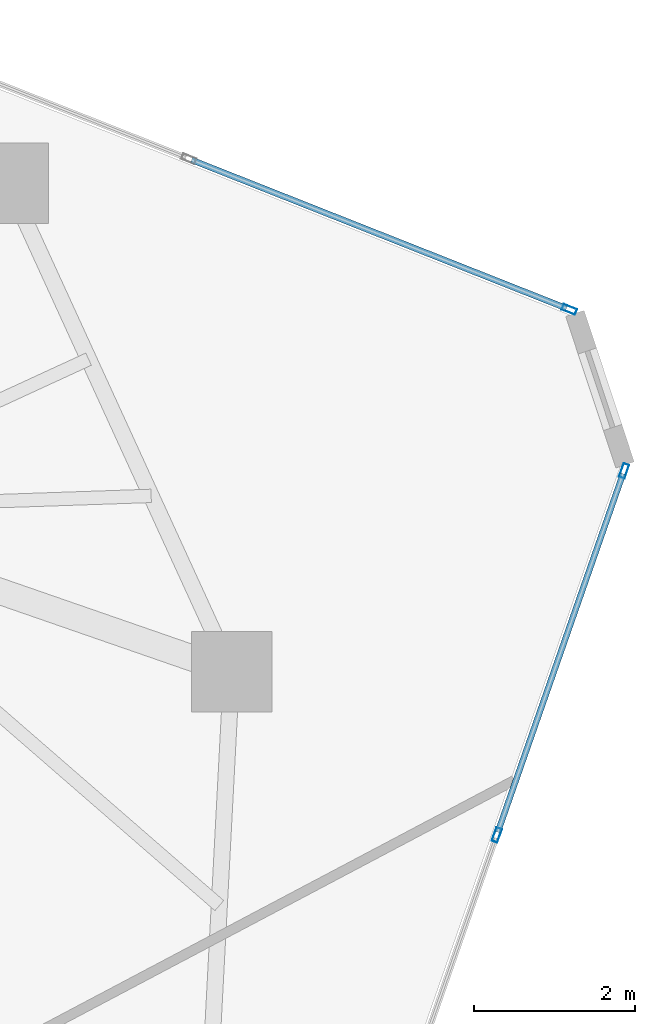
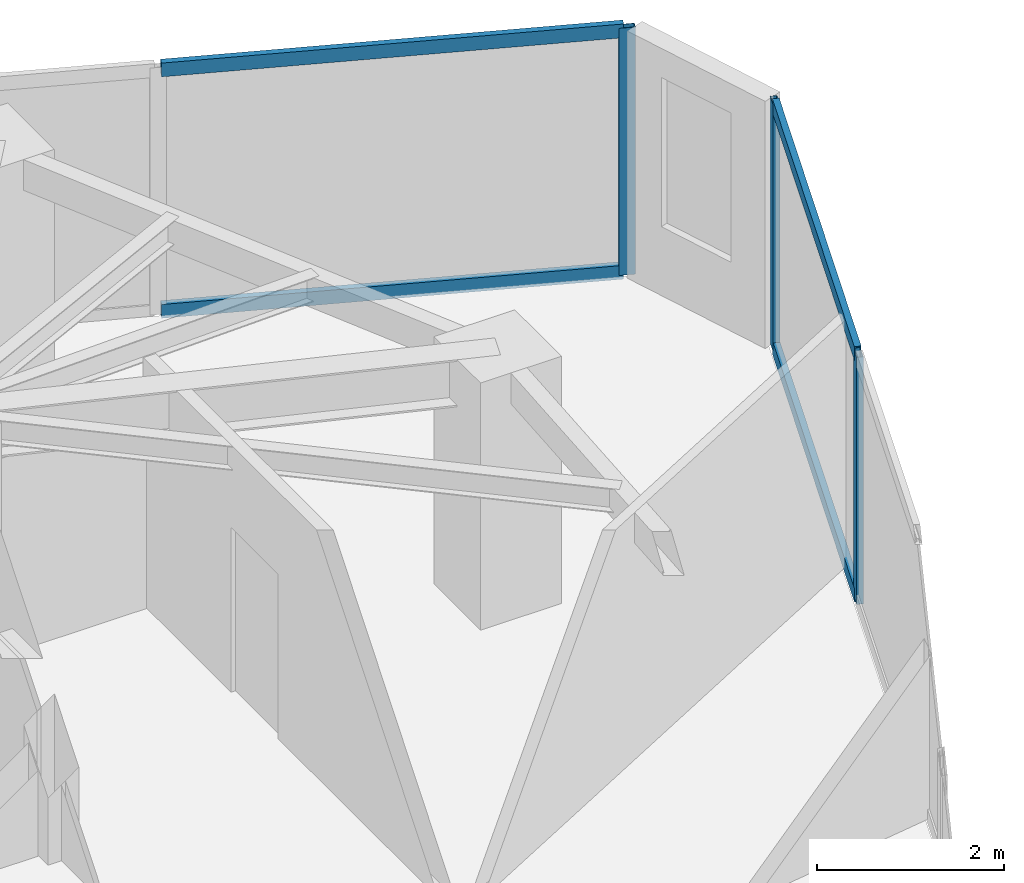
# One storey, part 12 of 20: 7 members, 2 elements without a shape of their own.
"""IFC4 building model written with IfcOpenShell, lengths in metres."""

from ifc_helpers import new_model, si_unit, direction, frame, origin, origin_2d, place, context, subcontext, project, spatial, hollow_rectangle, extrude, source, transform, mapped, material, layer, layer_set, material_profile, profile_set, type_object, type_shapes, element, aggregate, save


model = new_model("IFC4")

# Units and contexts
model_context = context("Model", 3, precision=1e-05, world=origin(), true_north=direction((0.0, 1.0)))
body_context = subcontext(model_context, "Body", "Model", "MODEL_VIEW")
ifc_project = project(units=[si_unit("LENGTHUNIT", "METRE"), si_unit("AREAUNIT", "SQUARE_METRE"), si_unit("VOLUMEUNIT", "CUBIC_METRE"), si_unit("PLANEANGLEUNIT", "RADIAN"), si_unit("MASSUNIT", "GRAM", prefix="KILO")], contexts=[model_context])

# Site, building, storey
site_placement = place(None, origin())
site = spatial("IfcSite", under=ifc_project, at=site_placement, CompositionType="ELEMENT")
building_placement = place(site_placement, origin())
building = spatial("IfcBuilding", under=site, at=building_placement, Name="Talar Marvaseh", CompositionType="ELEMENT")
storey_placement = place(building_placement, frame((0.0, 0.0, 170.5)))
storey = spatial("IfcBuildingStorey", under=building, at=storey_placement, Name="L44", CompositionType="ELEMENT", Elevation=170.5)

# Curtain wall, member
ifc_material = material(Name="Architectural Aluminium", Category="aluminium")
ifc_layer = layer(ifc_material, 0.18994140625)
ifc_layer_set = layer_set([ifc_layer], Name="Architectural Aluminium")
curtain_wall_type = type_object("IfcCurtainWallType", Name="Unitised Solar Atelier Curtain Wall Z3", PredefinedType="NOTDEFINED", material=ifc_layer_set)
curtain_wall_1_placement = place(storey_placement, origin())
curtain_wall_1 = element("IfcCurtainWall", 1, at=curtain_wall_1_placement, inside=storey, type_object=curtain_wall_type, Name="L44 Unitised Solar Atelier Curtain Wall Z3", PredefinedType="NOTDEFINED")
ifc_material_profile_1 = material_profile(ifc_material, hollow_rectangle(XDim=0.074951171875, YDim=0.179931640625, WallThickness=0.0048828125, at=origin_2d()), Name="RHS180x75x5")
ifc_profile_set_1 = profile_set([ifc_material_profile_1], Name="Architectural Aluminium")
member_type_1 = type_object("IfcMemberType", Name="Unitised Curtain Wall Standard Mullion RHS180x75x5", PredefinedType="MULLION", material=ifc_profile_set_1)
shared_shape_1 = source(origin(), body_context, "Body", "SweptSolid", [
    extrude(hollow_rectangle(XDim=0.074951171875, YDim=0.179931640625, WallThickness=0.0048828125, at=origin_2d()), origin(), (0.0, 0.0, 1.0), 3.22998046875),
])
type_shapes(member_type_1, [shared_shape_1])
member_1_placement = place(storey_placement, frame((43.3017578125, 39.37744140625, 0.0), z_axis=(0.0, 0.0, 1.0), x_axis=(0.368062306707, 0.929801128404, 0.0)))
member_1 = element("IfcMember", 2, at=member_1_placement, type_object=member_type_1, Name="CW-Z3 mullion 4", PredefinedType="MULLION", context=body_context, shape_type="MappedRepresentation", body=[
    mapped(shared_shape_1, transform((0.0, 0.0, 0.0), x_axis=(1.0, 0.0, 0.0), y_axis=(0.0, 1.0, 0.0), z_axis=(0.0, 0.0, 1.0), scale=1.0)),
])

# Curtain wall, members
curtain_wall_2_placement = place(storey_placement, origin())
curtain_wall_2 = element("IfcCurtainWall", 3, at=curtain_wall_2_placement, inside=storey, type_object=curtain_wall_type, Name="L44 Unitised Solar Atelier Curtain Wall Z3", PredefinedType="NOTDEFINED")
member_2_placement = place(storey_placement, frame((43.980712890625, 37.375244140625, 0.0), z_axis=(0.0, 0.0, 1.0), x_axis=(0.944037331533, -0.329838622166, 0.0)))
member_2 = element("IfcMember", 4, at=member_2_placement, type_object=member_type_1, Name="CW-Z3 mullion 1", PredefinedType="MULLION", context=body_context, shape_type="MappedRepresentation", body=[
    mapped(shared_shape_1, transform((0.0, 0.0, 0.0), x_axis=(1.0, 0.0, 0.0), y_axis=(0.0, 1.0, 0.0), z_axis=(0.0, 0.0, 1.0), scale=1.0)),
])
member_3_placement = place(storey_placement, frame((42.402587890625, 32.8583984375, 0.0), z_axis=(0.0, 0.0, 1.0), x_axis=(0.944037331533, -0.329838622166, 0.0)))
member_3 = element("IfcMember", 5, at=member_3_placement, type_object=member_type_1, Name="CW-Z3 mullion 2", PredefinedType="MULLION", context=body_context, shape_type="MappedRepresentation", body=[
    mapped(shared_shape_1, transform((0.0, 0.0, 0.0), x_axis=(1.0, 0.0, 0.0), y_axis=(0.0, 1.0, 0.0), z_axis=(0.0, 0.0, 1.0), scale=1.0)),
])

# Member
ifc_material_profile_2 = material_profile(ifc_material, hollow_rectangle(XDim=0.074951171875, YDim=0.179931640625, WallThickness=0.0048828125, at=origin_2d()), Name="RHS180x75x5")
ifc_profile_set_2 = profile_set([ifc_material_profile_2], Name="Architectural Aluminium")
member_type_2 = type_object("IfcMemberType", Name="Unitised Curtain Wall Transom RHS180x75x5", PredefinedType="USERDEFINED", material=ifc_profile_set_2)
shared_shape_2 = source(origin(), body_context, "Body", "SweptSolid", [
    extrude(hollow_rectangle(XDim=0.074951171875, YDim=0.179931640625, WallThickness=0.0048828125, at=origin_2d()), origin(), (0.0, 0.0, 1.0), 5.00048828125),
])
member_4_placement = place(storey_placement, frame((38.617431640625, 41.231689453125, 0.03759765625), z_axis=(0.929810790103, -0.36803789833, 0.0), x_axis=(0.36803789833, 0.929810790103, 0.0)))
member_4 = element("IfcMember", 6, at=member_4_placement, type_object=member_type_2, Name="CW-Z3 transom 3.1", ObjectType="TRANSOM", PredefinedType="USERDEFINED", context=body_context, shape_type="MappedRepresentation", body=[
    mapped(shared_shape_2, transform((0.0, 0.0, 0.0), x_axis=(1.0, 0.0, 0.0), y_axis=(0.0, 1.0, 0.0), z_axis=(0.0, 0.0, 1.0), scale=1.0)),
])

member_5_placement = place(storey_placement, frame((38.617431640625, 41.231689453125, 3.1923828125), z_axis=(0.929810790103, -0.36803789833, 0.0), x_axis=(0.36803789833, 0.929810790103, 0.0)))
member_5 = element("IfcMember", 7, at=member_5_placement, type_object=member_type_2, Name="CW-Z3 transom 3.2", ObjectType="TRANSOM", PredefinedType="USERDEFINED", context=body_context, shape_type="MappedRepresentation", body=[
    mapped(shared_shape_2, transform((0.0, 0.0, 0.0), x_axis=(1.0, 0.0, 0.0), y_axis=(0.0, 1.0, 0.0), z_axis=(0.0, 0.0, 1.0), scale=1.0)),
])

aggregate(curtain_wall_1, [member_1, member_4, member_5])

shared_shape_3 = source(origin(), body_context, "Body", "SweptSolid", [
    extrude(hollow_rectangle(XDim=0.074951171875, YDim=0.179931640625, WallThickness=0.0048828125, at=origin_2d()), origin(), (0.0, 0.0, 1.0), 4.709716796875),
])
type_shapes(member_type_2, [shared_shape_2, shared_shape_3])
member_6_placement = place(storey_placement, frame((43.96826171875, 37.33984375, 0.03759765625), z_axis=(-0.329849309743, -0.944033597316, 0.0), x_axis=(0.944033597316, -0.329849309743, 0.0)))
member_6 = element("IfcMember", 8, at=member_6_placement, type_object=member_type_2, Name="CW-Z3 transom 1.1", ObjectType="TRANSOM", PredefinedType="USERDEFINED", context=body_context, shape_type="MappedRepresentation", body=[
    mapped(shared_shape_3, transform((0.0, 0.0, 0.0), x_axis=(1.0, 0.0, 0.0), y_axis=(0.0, 1.0, 0.0), z_axis=(0.0, 0.0, 1.0), scale=1.0)),
])

member_7_placement = place(storey_placement, frame((43.96826171875, 37.33984375, 3.1923828125), z_axis=(-0.329849309743, -0.944033597316, 0.0), x_axis=(0.944033597316, -0.329849309743, 0.0)))
member_7 = element("IfcMember", 9, at=member_7_placement, type_object=member_type_2, Name="CW-Z3 transom 1.2", ObjectType="TRANSOM", PredefinedType="USERDEFINED", context=body_context, shape_type="MappedRepresentation", body=[
    mapped(shared_shape_3, transform((0.0, 0.0, 0.0), x_axis=(1.0, 0.0, 0.0), y_axis=(0.0, 1.0, 0.0), z_axis=(0.0, 0.0, 1.0), scale=1.0)),
])

aggregate(curtain_wall_2, [member_2, member_3, member_6, member_7])

save(model, "model.ifc")
